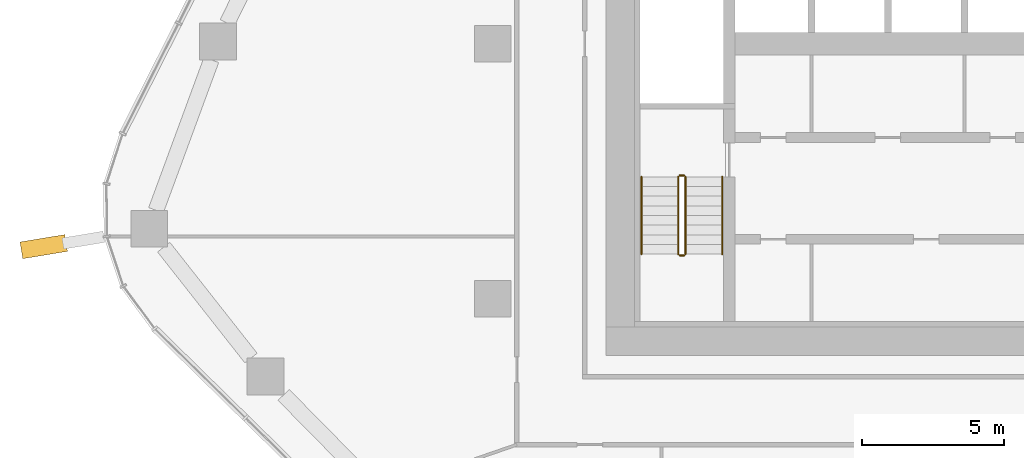
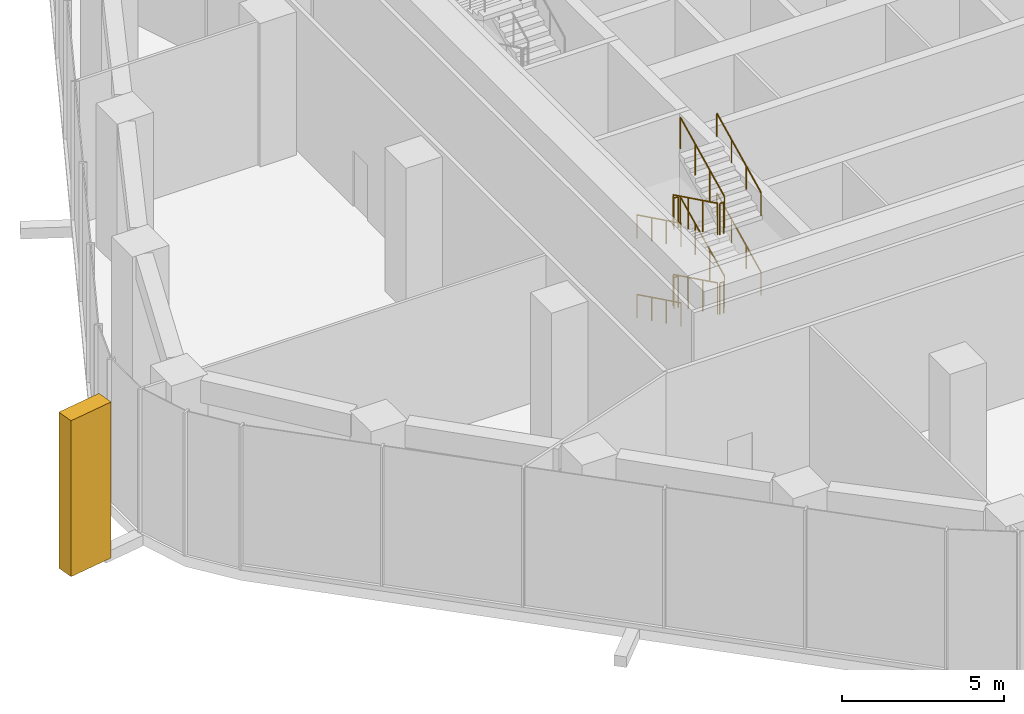
# One storey, part 15 of 18: 12 railings, 1 covering, 1 element without a shape of its own.
"""IFC4 building model written with IfcOpenShell, lengths in metres."""

from ifc_helpers import new_model, si_unit, direction, frame, origin, origin_2d, place, context, subcontext, project, spatial, rectangle, circle, extrude, material, layer, layer_set, material_profile, profile_set, type_object, element, aggregate, save


model = new_model("IFC4")

# Units and contexts
model_context = context("Model", 3, precision=1e-05, world=origin(), true_north=direction((0.0, 1.0)))
body_context = subcontext(model_context, "Body", "Model", "MODEL_VIEW")
ifc_project = project(units=[si_unit("LENGTHUNIT", "METRE"), si_unit("AREAUNIT", "SQUARE_METRE"), si_unit("VOLUMEUNIT", "CUBIC_METRE"), si_unit("PLANEANGLEUNIT", "RADIAN"), si_unit("MASSUNIT", "GRAM", prefix="KILO")], contexts=[model_context])

# Site, building, storey
site_placement = place(None, origin())
site = spatial("IfcSite", under=ifc_project, at=site_placement, CompositionType="ELEMENT")
building_placement = place(site_placement, origin())
building = spatial("IfcBuilding", under=site, at=building_placement, Name="Dongbaek Canopy Tower", CompositionType="ELEMENT")
storey_placement = place(building_placement, frame((0.0, 0.0, 139.60009765625)))
storey = spatial("IfcBuildingStorey", under=building, at=storey_placement, Name="L31", CompositionType="ELEMENT", Elevation=139.60009765625)

# Curtain wall, covering
ifc_material_1 = material(Name="Aluminium 6063-T6 pale anodised", Category="aluminium")
ifc_layer = layer(ifc_material_1, 0.25)
ifc_layer_set = layer_set([ifc_layer], Name="CW-4 sky-lobby curtain wall")
curtain_wall_type = type_object("IfcCurtainWallType", Name="CW-4 sky-lobby curtain wall", PredefinedType="NOTDEFINED", material=ifc_layer_set)
curtain_wall_placement = place(storey_placement, origin())
curtain_wall = element("IfcCurtainWall", 1, at=curtain_wall_placement, inside=storey, type_object=curtain_wall_type, Name="CW-4 curtain wall K3.1", PredefinedType="NOTDEFINED")
ifc_material_2 = material(Name="Aluminium 6063-T6 pale metal fin", Category="aluminium")
ifc_material_profile = material_profile(ifc_material_2, rectangle(XDim=1.60009765625, YDim=0.60009765625, at=origin_2d()), Name="Corner fin CN1 600 x 1600 pale metal")
ifc_profile_set = profile_set([ifc_material_profile], Name="Aluminium 6063-T6 pale metal fin")
covering_type = type_object("IfcCoveringType", Name="Corner fin CN1 600 x 1600 pale metal", PredefinedType="CLADDING", material=ifc_profile_set)
covering_placement = place(storey_placement, frame((-33.8486328125, -7.16064453125, -0.2001953125), z_axis=(0.0, 0.0, 1.0), x_axis=(-0.986776906936, -0.162084348219, 0.0)))
covering = element("IfcCovering", 2, at=covering_placement, type_object=covering_type, Name="Corner fin L31 L31 K3", PredefinedType="CLADDING", context=body_context, shape_type="SweptSolid", body=[
    extrude(rectangle(XDim=1.60009765625, YDim=0.60009765625, at=origin_2d()), origin(), (0.0, 0.0, 1.0), 5.880126953125),
])
aggregate(curtain_wall, [covering])

# Railings
ifc_material_3 = material(Name="Stainless steel tube and balusters", Category="steel")
railing_type_1 = type_object("IfcRailingType", Name="Stair guard 1200", PredefinedType="GUARDRAIL", material=ifc_material_3)
railing_1_placement = place(storey_placement, frame((-11.449951171875, -4.699951171875, 0.16650390625)))
element("IfcRailing", 3, at=railing_1_placement, inside=storey, type_object=railing_type_1, Name="L31 ST-D stair guard 1", PredefinedType="GUARDRAIL", context=body_context, shape_type="SweptSolid", body=[
    extrude(circle(Radius=0.02392578125, at=origin_2d()), frame((0.0, 0.0, 1.17578125), z_axis=(0.0, -0.89789761255, 0.440204358653), x_axis=(1.0, 0.0, 0.0)), (0.0, 0.0, 1.0), 3.029296875),
    extrude(circle(Radius=0.02099609375, at=origin_2d()), origin(), (0.0, 0.0, 1.0), 1.15185546875),
    extrude(circle(Radius=0.02099609375, at=origin_2d()), frame((0.0, -0.90673828125, 0.444580078125)), (0.0, 0.0, 1.0), 1.15185546875),
    extrude(circle(Radius=0.02099609375, at=origin_2d()), frame((0.0, -1.813232421875, 0.888916015625)), (0.0, 0.0, 1.0), 1.15185546875),
    extrude(circle(Radius=0.02099609375, at=origin_2d()), frame((0.0, -2.719970703125, 1.33349609375)), (0.0, 0.0, 1.0), 1.15185546875),
])
railing_2_placement = place(storey_placement, frame((-11.39990234375, -7.469970703125, 1.5)))
element("IfcRailing", 4, at=railing_2_placement, inside=storey, type_object=railing_type_1, Name="L31 ST-D stair guard 2", PredefinedType="GUARDRAIL", context=body_context, shape_type="SweptSolid", body=[
    extrude(circle(Radius=0.02392578125, at=origin_2d()), frame((0.0, 0.0, 1.17578125), z_axis=(1.0, 0.0, 0.0), x_axis=(0.0, 1.0, 0.0)), (0.0, 0.0, 1.0), 0.14990234375),
    extrude(circle(Radius=0.02099609375, at=origin_2d()), origin(), (0.0, 0.0, 1.0), 1.15185546875),
    extrude(circle(Radius=0.02099609375, at=origin_2d()), frame((0.14990234375, 0.0, 0.0)), (0.0, 0.0, 1.0), 1.15185546875),
])
railing_3_placement = place(storey_placement, frame((-11.199951171875, -7.419921875, 1.66650390625)))
element("IfcRailing", 5, at=railing_3_placement, inside=storey, type_object=railing_type_1, Name="L31 ST-D stair guard 3", PredefinedType="GUARDRAIL", context=body_context, shape_type="SweptSolid", body=[
    extrude(circle(Radius=0.02392578125, at=origin_2d()), frame((0.0, 0.0, 1.17578125), z_axis=(0.0, 0.89789761255, 0.440204358653), x_axis=(-1.0, 0.0, 0.0)), (0.0, 0.0, 1.0), 3.029296875),
    extrude(circle(Radius=0.02099609375, at=origin_2d()), origin(), (0.0, 0.0, 1.0), 1.15185546875),
    extrude(circle(Radius=0.02099609375, at=origin_2d()), frame((0.0, 0.90673828125, 0.444580078125)), (0.0, 0.0, 1.0), 1.15185546875),
    extrude(circle(Radius=0.02099609375, at=origin_2d()), frame((0.0, 1.813232421875, 0.888916015625)), (0.0, 0.0, 1.0), 1.15185546875),
    extrude(circle(Radius=0.02099609375, at=origin_2d()), frame((0.0, 2.719970703125, 1.33349609375)), (0.0, 0.0, 1.0), 1.15185546875),
])
railing_4_placement = place(storey_placement, frame((-11.39990234375, -4.64990234375, 3.0)))
element("IfcRailing", 6, at=railing_4_placement, inside=storey, type_object=railing_type_1, Name="L31 ST-D stair guard 4", PredefinedType="GUARDRAIL", context=body_context, shape_type="SweptSolid", body=[
    extrude(circle(Radius=0.02392578125, at=origin_2d()), frame((0.0, 0.0, 1.17578125), z_axis=(1.0, 0.0, 0.0), x_axis=(0.0, 1.0, 0.0)), (0.0, 0.0, 1.0), 0.14990234375),
    extrude(circle(Radius=0.02099609375, at=origin_2d()), origin(), (0.0, 0.0, 1.0), 1.15185546875),
    extrude(circle(Radius=0.02099609375, at=origin_2d()), frame((0.14990234375, 0.0, 0.0)), (0.0, 0.0, 1.0), 1.15185546875),
])
railing_5_placement = place(storey_placement, frame((-11.449951171875, -4.699951171875, 3.16650390625)))
element("IfcRailing", 7, at=railing_5_placement, inside=storey, type_object=railing_type_1, Name="L31 ST-D stair guard 5", PredefinedType="GUARDRAIL", context=body_context, shape_type="SweptSolid", body=[
    extrude(circle(Radius=0.02392578125, at=origin_2d()), frame((0.0, 0.0, 1.17578125), z_axis=(0.0, -0.89789761255, 0.440204358653), x_axis=(1.0, 0.0, 0.0)), (0.0, 0.0, 1.0), 3.029296875),
    extrude(circle(Radius=0.02099609375, at=origin_2d()), origin(), (0.0, 0.0, 1.0), 1.15185546875),
    extrude(circle(Radius=0.02099609375, at=origin_2d()), frame((0.0, -0.90673828125, 0.444580078125)), (0.0, 0.0, 1.0), 1.15185546875),
    extrude(circle(Radius=0.02099609375, at=origin_2d()), frame((0.0, -1.813232421875, 0.888916015625)), (0.0, 0.0, 1.0), 1.15185546875),
    extrude(circle(Radius=0.02099609375, at=origin_2d()), frame((0.0, -2.719970703125, 1.33349609375)), (0.0, 0.0, 1.0), 1.15185546875),
])
railing_6_placement = place(storey_placement, frame((-11.39990234375, -7.469970703125, 4.5)))
element("IfcRailing", 8, at=railing_6_placement, inside=storey, type_object=railing_type_1, Name="L31 ST-D stair guard 6", PredefinedType="GUARDRAIL", context=body_context, shape_type="SweptSolid", body=[
    extrude(circle(Radius=0.02392578125, at=origin_2d()), frame((0.0, 0.0, 1.17578125), z_axis=(1.0, 0.0, 0.0), x_axis=(0.0, 1.0, 0.0)), (0.0, 0.0, 1.0), 0.14990234375),
    extrude(circle(Radius=0.02099609375, at=origin_2d()), origin(), (0.0, 0.0, 1.0), 1.15185546875),
    extrude(circle(Radius=0.02099609375, at=origin_2d()), frame((0.14990234375, 0.0, 0.0)), (0.0, 0.0, 1.0), 1.15185546875),
])
railing_7_placement = place(storey_placement, frame((-11.199951171875, -7.419921875, 4.66650390625)))
element("IfcRailing", 9, at=railing_7_placement, inside=storey, type_object=railing_type_1, Name="L31 ST-D stair guard 7", PredefinedType="GUARDRAIL", context=body_context, shape_type="SweptSolid", body=[
    extrude(circle(Radius=0.02392578125, at=origin_2d()), frame((0.0, 0.0, 1.17578125), z_axis=(0.0, 0.89789761255, 0.440204358653), x_axis=(-1.0, 0.0, 0.0)), (0.0, 0.0, 1.0), 3.029296875),
    extrude(circle(Radius=0.02099609375, at=origin_2d()), origin(), (0.0, 0.0, 1.0), 1.15185546875),
    extrude(circle(Radius=0.02099609375, at=origin_2d()), frame((0.0, 0.90673828125, 0.444580078125)), (0.0, 0.0, 1.0), 1.15185546875),
    extrude(circle(Radius=0.02099609375, at=origin_2d()), frame((0.0, 1.813232421875, 0.888916015625)), (0.0, 0.0, 1.0), 1.15185546875),
    extrude(circle(Radius=0.02099609375, at=origin_2d()), frame((0.0, 2.719970703125, 1.33349609375)), (0.0, 0.0, 1.0), 1.15185546875),
])
railing_8_placement = place(storey_placement, frame((-11.39990234375, -4.64990234375, 0.0)))
element("IfcRailing", 10, at=railing_8_placement, inside=storey, type_object=railing_type_1, Name="L31 ST-D stair guard 8", PredefinedType="GUARDRAIL", context=body_context, shape_type="SweptSolid", body=[
    extrude(circle(Radius=0.02392578125, at=origin_2d()), frame((0.0, 0.0, 1.17578125), z_axis=(1.0, 0.0, 0.0), x_axis=(0.0, 1.0, 0.0)), (0.0, 0.0, 1.0), 0.14990234375),
    extrude(circle(Radius=0.02099609375, at=origin_2d()), origin(), (0.0, 0.0, 1.0), 1.15185546875),
    extrude(circle(Radius=0.02099609375, at=origin_2d()), frame((0.14990234375, 0.0, 0.0)), (0.0, 0.0, 1.0), 1.15185546875),
])
ifc_material_4 = material(Name="Stainless steel tube", Category="steel")
railing_type_2 = type_object("IfcRailingType", Name="Stair handrail 900", PredefinedType="HANDRAIL", material=ifc_material_4)
railing_9_placement = place(storey_placement, frame((-12.75, -4.699951171875, 0.16650390625)))
element("IfcRailing", 11, at=railing_9_placement, inside=storey, type_object=railing_type_2, Name="L31 ST-D stair handrail 1", PredefinedType="HANDRAIL", context=body_context, shape_type="SweptSolid", body=[
    extrude(circle(Radius=0.02392578125, at=origin_2d()), frame((0.0, 0.0, 0.8759765625), z_axis=(0.0, -0.89789761255, 0.440204358653), x_axis=(1.0, 0.0, 0.0)), (0.0, 0.0, 1.0), 3.029296875),
    extrude(circle(Radius=0.02099609375, at=origin_2d()), origin(), (0.0, 0.0, 1.0), 0.851806640625),
    extrude(circle(Radius=0.02099609375, at=origin_2d()), frame((0.0, -0.90673828125, 0.444580078125)), (0.0, 0.0, 1.0), 0.851806640625),
    extrude(circle(Radius=0.02099609375, at=origin_2d()), frame((0.0, -1.813232421875, 0.888916015625)), (0.0, 0.0, 1.0), 0.851806640625),
    extrude(circle(Radius=0.02099609375, at=origin_2d()), frame((0.0, -2.719970703125, 1.33349609375)), (0.0, 0.0, 1.0), 0.851806640625),
])
railing_10_placement = place(storey_placement, frame((-9.89990234375, -7.419921875, 1.66650390625)))
element("IfcRailing", 12, at=railing_10_placement, inside=storey, type_object=railing_type_2, Name="L31 ST-D stair handrail 2", PredefinedType="HANDRAIL", context=body_context, shape_type="SweptSolid", body=[
    extrude(circle(Radius=0.02392578125, at=origin_2d()), frame((0.0, 0.0, 0.8759765625), z_axis=(0.0, 0.89789761255, 0.440204358653), x_axis=(-1.0, 0.0, 0.0)), (0.0, 0.0, 1.0), 3.029296875),
    extrude(circle(Radius=0.02099609375, at=origin_2d()), origin(), (0.0, 0.0, 1.0), 0.851806640625),
    extrude(circle(Radius=0.02099609375, at=origin_2d()), frame((0.0, 0.90673828125, 0.444580078125)), (0.0, 0.0, 1.0), 0.851806640625),
    extrude(circle(Radius=0.02099609375, at=origin_2d()), frame((0.0, 1.813232421875, 0.888916015625)), (0.0, 0.0, 1.0), 0.851806640625),
    extrude(circle(Radius=0.02099609375, at=origin_2d()), frame((0.0, 2.719970703125, 1.33349609375)), (0.0, 0.0, 1.0), 0.851806640625),
])
railing_11_placement = place(storey_placement, frame((-12.75, -4.699951171875, 3.16650390625)))
element("IfcRailing", 13, at=railing_11_placement, inside=storey, type_object=railing_type_2, Name="L31 ST-D stair handrail 3", PredefinedType="HANDRAIL", context=body_context, shape_type="SweptSolid", body=[
    extrude(circle(Radius=0.02392578125, at=origin_2d()), frame((0.0, 0.0, 0.8759765625), z_axis=(0.0, -0.89789761255, 0.440204358653), x_axis=(1.0, 0.0, 0.0)), (0.0, 0.0, 1.0), 3.029296875),
    extrude(circle(Radius=0.02099609375, at=origin_2d()), origin(), (0.0, 0.0, 1.0), 0.851806640625),
    extrude(circle(Radius=0.02099609375, at=origin_2d()), frame((0.0, -0.90673828125, 0.444580078125)), (0.0, 0.0, 1.0), 0.851806640625),
    extrude(circle(Radius=0.02099609375, at=origin_2d()), frame((0.0, -1.813232421875, 0.888916015625)), (0.0, 0.0, 1.0), 0.851806640625),
    extrude(circle(Radius=0.02099609375, at=origin_2d()), frame((0.0, -2.719970703125, 1.33349609375)), (0.0, 0.0, 1.0), 0.851806640625),
])
railing_12_placement = place(storey_placement, frame((-9.89990234375, -7.419921875, 4.66650390625)))
element("IfcRailing", 14, at=railing_12_placement, inside=storey, type_object=railing_type_2, Name="L31 ST-D stair handrail 4", PredefinedType="HANDRAIL", context=body_context, shape_type="SweptSolid", body=[
    extrude(circle(Radius=0.02392578125, at=origin_2d()), frame((0.0, 0.0, 0.8759765625), z_axis=(0.0, 0.89789761255, 0.440204358653), x_axis=(-1.0, 0.0, 0.0)), (0.0, 0.0, 1.0), 3.029296875),
    extrude(circle(Radius=0.02099609375, at=origin_2d()), origin(), (0.0, 0.0, 1.0), 0.851806640625),
    extrude(circle(Radius=0.02099609375, at=origin_2d()), frame((0.0, 0.90673828125, 0.444580078125)), (0.0, 0.0, 1.0), 0.851806640625),
    extrude(circle(Radius=0.02099609375, at=origin_2d()), frame((0.0, 1.813232421875, 0.888916015625)), (0.0, 0.0, 1.0), 0.851806640625),
    extrude(circle(Radius=0.02099609375, at=origin_2d()), frame((0.0, 2.719970703125, 1.33349609375)), (0.0, 0.0, 1.0), 0.851806640625),
])

save(model, "model.ifc")
